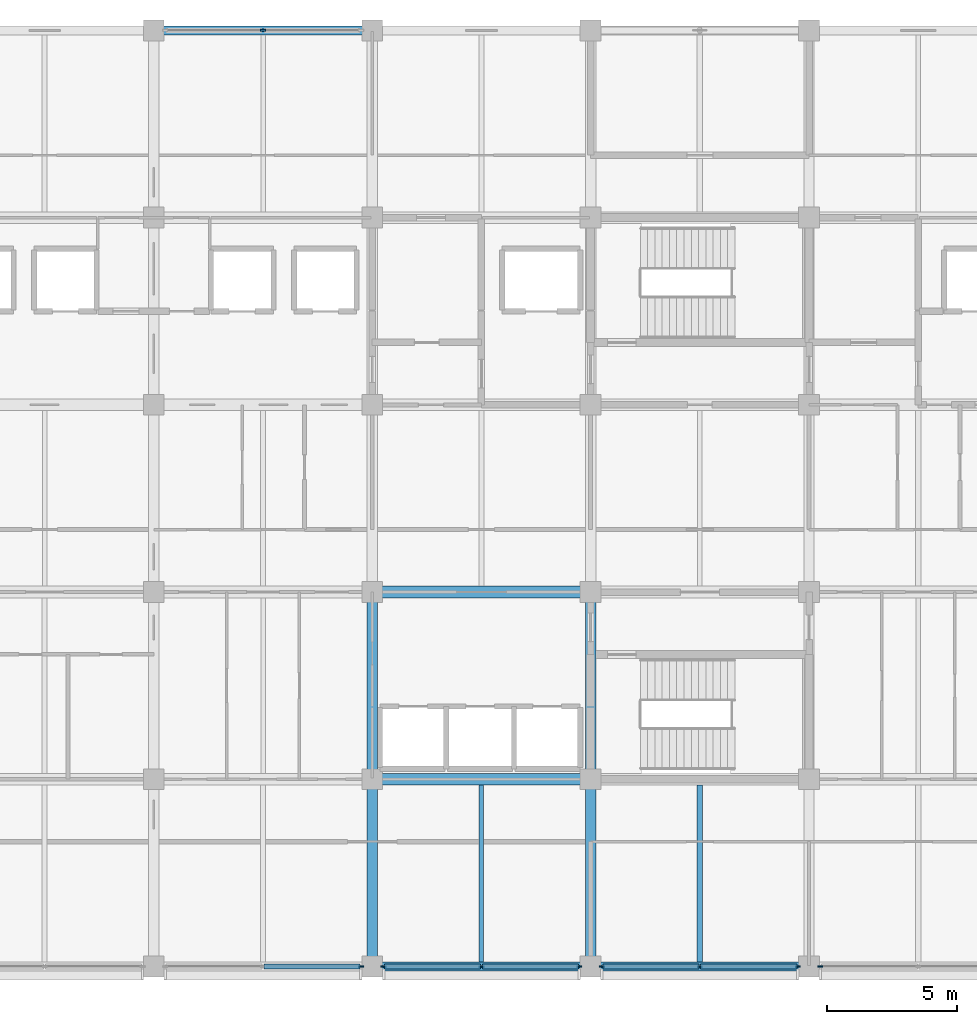
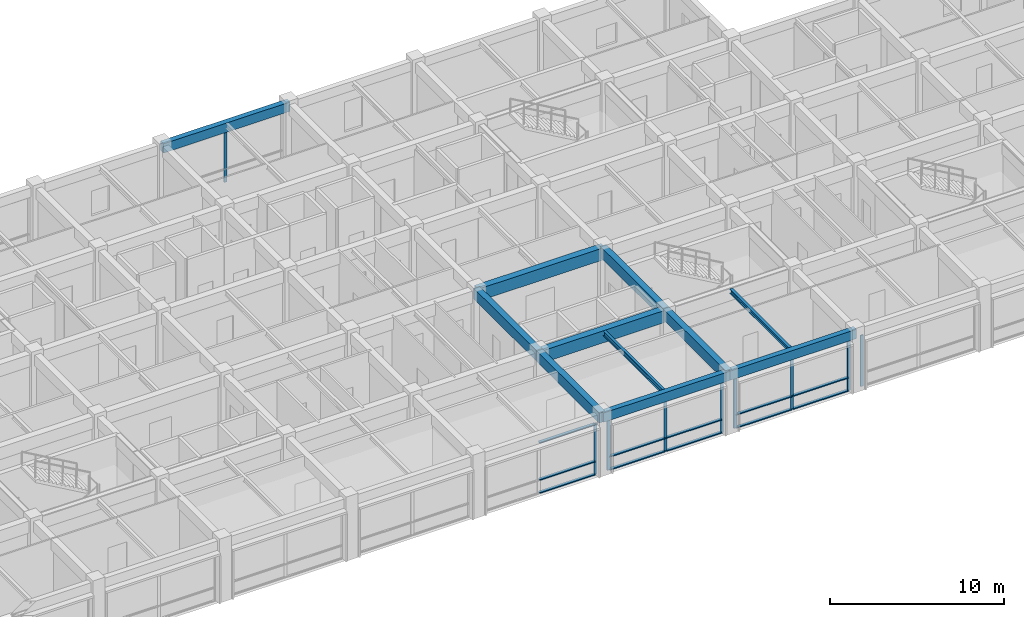
# One storey, part 8 of 30: 24 members, 11 beams, 5 elements without a shape of their own.
"""IFC4 building model written with IfcOpenShell, lengths in metres."""

from ifc_helpers import new_model, si_unit, direction, frame, origin, origin_2d, place, context, subcontext, project, spatial, rectangle, i_section, extrude, material, layer, layer_set, material_profile, profile_set, type_object, element, aggregate, save


model = new_model("IFC4")

# Units and contexts
model_context = context("Model", 3, precision=1e-05, world=origin(), true_north=direction((0.0, 1.0)))
body_context = subcontext(model_context, "Body", "Model", "MODEL_VIEW")
ifc_project = project(units=[si_unit("LENGTHUNIT", "METRE"), si_unit("AREAUNIT", "SQUARE_METRE"), si_unit("VOLUMEUNIT", "CUBIC_METRE"), si_unit("PLANEANGLEUNIT", "RADIAN"), si_unit("MASSUNIT", "GRAM", prefix="KILO")], contexts=[model_context])

# Site, building, storey
site_placement = place(None, origin())
site = spatial("IfcSite", under=ifc_project, at=site_placement, CompositionType="ELEMENT")
building_placement = place(site_placement, origin())
building = spatial("IfcBuilding", under=site, at=building_placement, Name="Chengyuan Square Courthouse", CompositionType="ELEMENT")
storey_placement = place(building_placement, frame((0.0, 0.0, 30.60009765625)))
storey = spatial("IfcBuildingStorey", under=building, at=storey_placement, Name="L07", CompositionType="ELEMENT", Elevation=30.60009765625)

# Beams
ifc_material_1 = material(Name="Concrete C40", Category="concrete")
ifc_material_profile_1 = material_profile(ifc_material_1, rectangle(XDim=0.449951171875, YDim=0.85009765625, at=origin_2d()), Name="RC-BM-450x850")
ifc_profile_set_1 = profile_set([ifc_material_profile_1], Name="Concrete C40")
beam_type_1 = type_object("IfcBeamType", Name="BM-01", PredefinedType="USERDEFINED", material=ifc_profile_set_1)
for number, where, z_axis, x_axis, name in (
    (1, (92.39990234375, 86.39990234375, 3.81494140625), (1.0, 0.0, 0.0), (0.0, 1.0, 0.0), "Girder BM-L07-3598"),
    (2, (92.39990234375, 93.60009765625, 3.81494140625), (1.0, 0.0, 0.0), (0.0, 1.0, 0.0), "Girder BM-L07-3610"),
):
    element("IfcBeam", number, at=place(storey_placement, frame(where, z_axis=z_axis, x_axis=x_axis)), inside=storey, type_object=beam_type_1, Name=name, ObjectType="GIRDER", PredefinedType="USERDEFINED", context=body_context, shape_type="SweptSolid", body=[
        extrude(rectangle(XDim=0.449951171875, YDim=0.85009765625, at=origin_2d()), origin(), (0.0, 0.0, 1.0), 8.400146484375),
    ])
ifc_material_profile_2 = material_profile(ifc_material_1, rectangle(XDim=0.39990234375, YDim=0.75, at=origin_2d()), Name="RC-BM-400x750")
ifc_profile_set_2 = profile_set([ifc_material_profile_2], Name="Concrete C40")
beam_type_2 = type_object("IfcBeamType", Name="BM-02", PredefinedType="USERDEFINED", material=ifc_profile_set_2)
beam_1_placement = place(storey_placement, frame((92.39990234375, 79.199951171875, 3.864990234375), z_axis=(0.0, 1.0, 0.0), x_axis=(-1.0, 0.0, 0.0)))
element("IfcBeam", 3, at=beam_1_placement, inside=storey, type_object=beam_type_2, Name="Girder BM-L07-3685", ObjectType="GIRDER", PredefinedType="USERDEFINED", context=body_context, shape_type="SweptSolid", body=[
    extrude(rectangle(XDim=0.39990234375, YDim=0.75, at=origin_2d()), origin(), (0.0, 0.0, 1.0), 7.199951171875),
])
beam_2_placement = place(storey_placement, frame((92.39990234375, 86.39990234375, 3.864990234375), z_axis=(0.0, 1.0, 0.0), x_axis=(-1.0, 0.0, 0.0)))
element("IfcBeam", 4, at=beam_2_placement, inside=storey, type_object=beam_type_2, Name="Girder BM-L07-3686", ObjectType="GIRDER", PredefinedType="USERDEFINED", context=body_context, shape_type="SweptSolid", body=[
    extrude(rectangle(XDim=0.39990234375, YDim=0.75, at=origin_2d()), origin(), (0.0, 0.0, 1.0), 7.2001953125),
])
beam_3_placement = place(storey_placement, frame((100.800048828125, 79.199951171875, 3.864990234375), z_axis=(0.0, 1.0, 0.0), x_axis=(-1.0, 0.0, 0.0)))
element("IfcBeam", 5, at=beam_3_placement, inside=storey, type_object=beam_type_2, Name="Girder BM-L07-3690", ObjectType="GIRDER", PredefinedType="USERDEFINED", context=body_context, shape_type="SweptSolid", body=[
    extrude(rectangle(XDim=0.39990234375, YDim=0.75, at=origin_2d()), origin(), (0.0, 0.0, 1.0), 7.199951171875),
])
beam_4_placement = place(storey_placement, frame((100.800048828125, 86.39990234375, 3.864990234375), z_axis=(0.0, 1.0, 0.0), x_axis=(-1.0, 0.0, 0.0)))
element("IfcBeam", 6, at=beam_4_placement, inside=storey, type_object=beam_type_2, Name="Girder BM-L07-3691", ObjectType="GIRDER", PredefinedType="USERDEFINED", context=body_context, shape_type="SweptSolid", body=[
    extrude(rectangle(XDim=0.39990234375, YDim=0.75, at=origin_2d()), origin(), (0.0, 0.0, 1.0), 7.2001953125),
])
ifc_material_profile_3 = material_profile(ifc_material_1, rectangle(XDim=0.35009765625, YDim=0.64990234375, at=origin_2d()), Name="RC-BM-350x650")
ifc_profile_set_3 = profile_set([ifc_material_profile_3], Name="Concrete C40")
beam_type_3 = type_object("IfcBeamType", Name="BM-03", PredefinedType="SPANDREL", material=ifc_profile_set_3)
beam_5_placement = place(storey_placement, frame((92.39990234375, 79.199951171875, 3.914794921875), z_axis=(1.0, 0.0, 0.0), x_axis=(0.0, 1.0, 0.0)))
element("IfcBeam", 7, at=beam_5_placement, inside=storey, type_object=beam_type_3, Name="Girder BM-L07-3585", PredefinedType="SPANDREL", context=body_context, shape_type="SweptSolid", body=[
    extrude(rectangle(XDim=0.35009765625, YDim=0.64990234375, at=origin_2d()), origin(), (0.0, 0.0, 1.0), 8.400146484375),
])
for number, where, z_axis, x_axis, name in (
    (8, (100.800048828125, 79.199951171875, 3.914794921875), (1.0, 0.0, 0.0), (0.0, 1.0, 0.0), "Girder BM-L07-3586"),
    (9, (84.0, 115.199951171875, 3.914794921875), (1.0, 0.0, 0.0), (0.0, 1.0, 0.0), "Girder BM-L07-3647"),
):
    element("IfcBeam", number, at=place(storey_placement, frame(where, z_axis=z_axis, x_axis=x_axis)), inside=storey, type_object=beam_type_3, Name=name, PredefinedType="SPANDREL", context=body_context, shape_type="SweptSolid", body=[
        extrude(rectangle(XDim=0.35009765625, YDim=0.64990234375, at=origin_2d()), origin(), (0.0, 0.0, 1.0), 8.39990234375),
    ])
ifc_material_2 = material(Name="Steel Q355B", Category="steel")
ifc_material_profile_4 = material_profile(ifc_material_2, i_section(OverallWidth=0.175048828125, OverallDepth=0.35009765625, WebThickness=0.007080078125, FlangeThickness=0.010986328125, at=origin_2d()), Name="HN 350x175x7x11")
ifc_profile_set_4 = profile_set([ifc_material_profile_4], Name="Steel Q355B")
beam_type_4 = type_object("IfcBeamType", Name="BM-08", PredefinedType="BEAM", material=ifc_profile_set_4)
beam_6_placement = place(storey_placement, frame((96.60009765625, 79.375, 4.06494140625), z_axis=(0.0, 1.0, 0.0), x_axis=(-1.0, 0.0, 0.0)))
element("IfcBeam", 10, at=beam_6_placement, inside=storey, type_object=beam_type_4, Name="Secondary Floor Beam SBM-L07-3745", PredefinedType="BEAM", context=body_context, shape_type="SweptSolid", body=[
    extrude(i_section(OverallWidth=0.175048828125, OverallDepth=0.35009765625, WebThickness=0.007080078125, FlangeThickness=0.010986328125, at=origin_2d()), origin(), (0.0, 0.0, 1.0), 6.800048828125),
])
ifc_material_profile_5 = material_profile(ifc_material_2, i_section(OverallWidth=0.199951171875, OverallDepth=0.300048828125, WebThickness=0.008056640625, FlangeThickness=0.011962890625, at=origin_2d()), Name="HM 300x200x8x12")
ifc_profile_set_5 = profile_set([ifc_material_profile_5], Name="Steel Q355B")
beam_type_5 = type_object("IfcBeamType", Name="BM-09", PredefinedType="BEAM", material=ifc_profile_set_5)
beam_7_placement = place(storey_placement, frame((105.0, 79.375, 4.08984375), z_axis=(0.0, 1.0, 0.0), x_axis=(-1.0, 0.0, 0.0)))
element("IfcBeam", 11, at=beam_7_placement, inside=storey, type_object=beam_type_5, Name="Secondary Floor Beam SBM-L07-3749", PredefinedType="BEAM", context=body_context, shape_type="SweptSolid", body=[
    extrude(i_section(OverallWidth=0.199951171875, OverallDepth=0.300048828125, WebThickness=0.008056640625, FlangeThickness=0.011962890625, at=origin_2d()), origin(), (0.0, 0.0, 1.0), 6.800048828125),
])

# Curtain wall, member
ifc_material_3 = material(Name="Unitised Aluminium and Triple Low-E Glass", Category="aluminium")
ifc_layer = layer(ifc_material_3, 0.199951171875)
ifc_layer_set = layer_set([ifc_layer], Name="Unitised Aluminium and Triple Low-E Glass")
curtain_wall_type = type_object("IfcCurtainWallType", Name="CW-19", PredefinedType="USERDEFINED", material=ifc_layer_set)
curtain_wall_1_placement = place(storey_placement, origin())
curtain_wall_1 = element("IfcCurtainWall", 12, at=curtain_wall_1_placement, inside=storey, type_object=curtain_wall_type, Name="Unitised Curtain Wall CW-L07-212", ObjectType="UNITISED CURTAIN WALL", PredefinedType="USERDEFINED")
ifc_material_4 = material(Name="Aluminium 6063-T6 Frame", Category="aluminium")
ifc_material_profile_6 = material_profile(ifc_material_4, rectangle(XDim=0.070068359375, YDim=0.199951171875, at=origin_2d()), Name="CW-MUL-70x200")
ifc_profile_set_6 = profile_set([ifc_material_profile_6], Name="Aluminium 6063-T6 Frame")
member_type_1 = type_object("IfcMemberType", Name="CWM-03", PredefinedType="MULLION", material=ifc_profile_set_6)
member_1_placement = place(storey_placement, frame((91.965087890625, 79.199951171875, 0.0), z_axis=(0.0, 0.0, 1.0), x_axis=(0.0, 1.0, 0.0)))
member_1 = element("IfcMember", 13, at=member_1_placement, type_object=member_type_1, Name="CW-19 mullion 3", PredefinedType="MULLION", context=body_context, shape_type="SweptSolid", body=[
    extrude(rectangle(XDim=0.070068359375, YDim=0.199951171875, at=origin_2d()), origin(), (0.0, 0.0, 1.0), 3.58984375),
])

curtain_wall_2_placement = place(storey_placement, origin())
curtain_wall_2 = element("IfcCurtainWall", 14, at=curtain_wall_2_placement, inside=storey, type_object=curtain_wall_type, Name="Unitised Curtain Wall CW-L07-213", ObjectType="UNITISED CURTAIN WALL", PredefinedType="USERDEFINED")
member_2_placement = place(storey_placement, frame((88.199951171875, 115.199951171875, 0.0), z_axis=(0.0, 0.0, 1.0), x_axis=(0.0, 1.0, 0.0)))
member_2 = element("IfcMember", 15, at=member_2_placement, type_object=member_type_1, Name="CW-19 mullion 2", PredefinedType="MULLION", context=body_context, shape_type="SweptSolid", body=[
    extrude(rectangle(XDim=0.070068359375, YDim=0.199951171875, at=origin_2d()), origin(), (0.0, 0.0, 1.0), 3.58984375),
])
aggregate(curtain_wall_2, [member_2])

# Curtain wall, members
curtain_wall_3_placement = place(storey_placement, origin())
curtain_wall_3 = element("IfcCurtainWall", 16, at=curtain_wall_3_placement, inside=storey, type_object=curtain_wall_type, Name="Unitised Curtain Wall CW-L07-214", ObjectType="UNITISED CURTAIN WALL", PredefinedType="USERDEFINED")
member_3_placement = place(storey_placement, frame((92.8349609375, 79.199951171875, 0.0), z_axis=(0.0, 0.0, 1.0), x_axis=(0.0, 1.0, 0.0)))
member_3 = element("IfcMember", 17, at=member_3_placement, type_object=member_type_1, Name="CW-19 mullion 1", PredefinedType="MULLION", context=body_context, shape_type="SweptSolid", body=[
    extrude(rectangle(XDim=0.070068359375, YDim=0.199951171875, at=origin_2d()), origin(), (0.0, 0.0, 1.0), 3.58984375),
])
member_4_placement = place(storey_placement, frame((96.60009765625, 79.199951171875, 0.0), z_axis=(0.0, 0.0, 1.0), x_axis=(0.0, 1.0, 0.0)))
member_4 = element("IfcMember", 18, at=member_4_placement, type_object=member_type_1, Name="CW-19 mullion 2", PredefinedType="MULLION", context=body_context, shape_type="SweptSolid", body=[
    extrude(rectangle(XDim=0.070068359375, YDim=0.199951171875, at=origin_2d()), origin(), (0.0, 0.0, 1.0), 3.58984375),
])
member_5_placement = place(storey_placement, frame((100.364990234375, 79.199951171875, 0.0), z_axis=(0.0, 0.0, 1.0), x_axis=(0.0, 1.0, 0.0)))
member_5 = element("IfcMember", 19, at=member_5_placement, type_object=member_type_1, Name="CW-19 mullion 3", PredefinedType="MULLION", context=body_context, shape_type="SweptSolid", body=[
    extrude(rectangle(XDim=0.070068359375, YDim=0.199951171875, at=origin_2d()), origin(), (0.0, 0.0, 1.0), 3.58984375),
])

curtain_wall_4_placement = place(storey_placement, origin())
curtain_wall_4 = element("IfcCurtainWall", 20, at=curtain_wall_4_placement, inside=storey, type_object=curtain_wall_type, Name="Unitised Curtain Wall CW-L07-215", ObjectType="UNITISED CURTAIN WALL", PredefinedType="USERDEFINED")
member_6_placement = place(storey_placement, frame((101.235107421875, 79.199951171875, 0.0), z_axis=(0.0, 0.0, 1.0), x_axis=(0.0, 1.0, 0.0)))
member_6 = element("IfcMember", 21, at=member_6_placement, type_object=member_type_1, Name="CW-19 mullion 1", PredefinedType="MULLION", context=body_context, shape_type="SweptSolid", body=[
    extrude(rectangle(XDim=0.070068359375, YDim=0.199951171875, at=origin_2d()), origin(), (0.0, 0.0, 1.0), 3.58984375),
])
member_7_placement = place(storey_placement, frame((105.0, 79.199951171875, 0.0), z_axis=(0.0, 0.0, 1.0), x_axis=(0.0, 1.0, 0.0)))
member_7 = element("IfcMember", 22, at=member_7_placement, type_object=member_type_1, Name="CW-19 mullion 2", PredefinedType="MULLION", context=body_context, shape_type="SweptSolid", body=[
    extrude(rectangle(XDim=0.070068359375, YDim=0.199951171875, at=origin_2d()), origin(), (0.0, 0.0, 1.0), 3.58984375),
])
member_8_placement = place(storey_placement, frame((108.764892578125, 79.199951171875, 0.0), z_axis=(0.0, 0.0, 1.0), x_axis=(0.0, 1.0, 0.0)))
member_8 = element("IfcMember", 23, at=member_8_placement, type_object=member_type_1, Name="CW-19 mullion 3", PredefinedType="MULLION", context=body_context, shape_type="SweptSolid", body=[
    extrude(rectangle(XDim=0.070068359375, YDim=0.199951171875, at=origin_2d()), origin(), (0.0, 0.0, 1.0), 3.58984375),
])

# Curtain wall, member
curtain_wall_5_placement = place(storey_placement, origin())
curtain_wall_5 = element("IfcCurtainWall", 24, at=curtain_wall_5_placement, inside=storey, type_object=curtain_wall_type, Name="Unitised Curtain Wall CW-L07-216", ObjectType="UNITISED CURTAIN WALL", PredefinedType="USERDEFINED")
member_9_placement = place(storey_placement, frame((109.635009765625, 79.199951171875, 0.0), z_axis=(0.0, 0.0, 1.0), x_axis=(0.0, 1.0, 0.0)))
member_9 = element("IfcMember", 25, at=member_9_placement, type_object=member_type_1, Name="CW-19 mullion 1", PredefinedType="MULLION", context=body_context, shape_type="SweptSolid", body=[
    extrude(rectangle(XDim=0.070068359375, YDim=0.199951171875, at=origin_2d()), origin(), (0.0, 0.0, 1.0), 3.58984375),
])
aggregate(curtain_wall_5, [member_9])

# Member
ifc_material_profile_7 = material_profile(ifc_material_4, rectangle(XDim=0.199951171875, YDim=0.070068359375, at=origin_2d()), Name="CW-TRN-70x160")
ifc_profile_set_7 = profile_set([ifc_material_profile_7], Name="Aluminium 6063-T6 Frame")
member_type_2 = type_object("IfcMemberType", Name="CWT-03", PredefinedType="USERDEFINED", material=ifc_profile_set_7)
member_10_placement = place(storey_placement, frame((88.235107421875, 79.199951171875, 0.034912109375), z_axis=(1.0, 0.0, 0.0), x_axis=(0.0, 1.0, 0.0)))
member_10 = element("IfcMember", 26, at=member_10_placement, type_object=member_type_2, Name="CW-19 transom 2.1", ObjectType="TRANSOM", PredefinedType="USERDEFINED", context=body_context, shape_type="SweptSolid", body=[
    extrude(rectangle(XDim=0.199951171875, YDim=0.070068359375, at=origin_2d()), origin(), (0.0, 0.0, 1.0), 3.69482421875),
])

member_11_placement = place(storey_placement, frame((88.235107421875, 79.199951171875, 0.949951171875), z_axis=(1.0, 0.0, 0.0), x_axis=(0.0, 1.0, 0.0)))
member_11 = element("IfcMember", 27, at=member_11_placement, type_object=member_type_2, Name="CW-19 transom 2.2", ObjectType="TRANSOM", PredefinedType="USERDEFINED", context=body_context, shape_type="SweptSolid", body=[
    extrude(rectangle(XDim=0.199951171875, YDim=0.070068359375, at=origin_2d()), origin(), (0.0, 0.0, 1.0), 3.69482421875),
])

member_12_placement = place(storey_placement, frame((88.235107421875, 79.199951171875, 3.554931640625), z_axis=(1.0, 0.0, 0.0), x_axis=(0.0, 1.0, 0.0)))
member_12 = element("IfcMember", 28, at=member_12_placement, type_object=member_type_2, Name="CW-19 transom 2.3", ObjectType="TRANSOM", PredefinedType="USERDEFINED", context=body_context, shape_type="SweptSolid", body=[
    extrude(rectangle(XDim=0.199951171875, YDim=0.070068359375, at=origin_2d()), origin(), (0.0, 0.0, 1.0), 3.69482421875),
])

aggregate(curtain_wall_1, [member_1, member_10, member_11, member_12])

member_13_placement = place(storey_placement, frame((92.8701171875, 79.199951171875, 0.034912109375), z_axis=(1.0, 0.0, 0.0), x_axis=(0.0, 1.0, 0.0)))
member_13 = element("IfcMember", 29, at=member_13_placement, type_object=member_type_2, Name="CW-19 transom 1.1", ObjectType="TRANSOM", PredefinedType="USERDEFINED", context=body_context, shape_type="SweptSolid", body=[
    extrude(rectangle(XDim=0.199951171875, YDim=0.070068359375, at=origin_2d()), origin(), (0.0, 0.0, 1.0), 3.69482421875),
])

member_14_placement = place(storey_placement, frame((92.8701171875, 79.199951171875, 0.949951171875), z_axis=(1.0, 0.0, 0.0), x_axis=(0.0, 1.0, 0.0)))
member_14 = element("IfcMember", 30, at=member_14_placement, type_object=member_type_2, Name="CW-19 transom 1.2", ObjectType="TRANSOM", PredefinedType="USERDEFINED", context=body_context, shape_type="SweptSolid", body=[
    extrude(rectangle(XDim=0.199951171875, YDim=0.070068359375, at=origin_2d()), origin(), (0.0, 0.0, 1.0), 3.69482421875),
])

member_15_placement = place(storey_placement, frame((92.8701171875, 79.199951171875, 3.554931640625), z_axis=(1.0, 0.0, 0.0), x_axis=(0.0, 1.0, 0.0)))
member_15 = element("IfcMember", 31, at=member_15_placement, type_object=member_type_2, Name="CW-19 transom 1.3", ObjectType="TRANSOM", PredefinedType="USERDEFINED", context=body_context, shape_type="SweptSolid", body=[
    extrude(rectangle(XDim=0.199951171875, YDim=0.070068359375, at=origin_2d()), origin(), (0.0, 0.0, 1.0), 3.69482421875),
])

member_16_placement = place(storey_placement, frame((96.635009765625, 79.199951171875, 0.034912109375), z_axis=(1.0, 0.0, 0.0), x_axis=(0.0, 1.0, 0.0)))
member_16 = element("IfcMember", 32, at=member_16_placement, type_object=member_type_2, Name="CW-19 transom 2.1", ObjectType="TRANSOM", PredefinedType="USERDEFINED", context=body_context, shape_type="SweptSolid", body=[
    extrude(rectangle(XDim=0.199951171875, YDim=0.070068359375, at=origin_2d()), origin(), (0.0, 0.0, 1.0), 3.695068359375),
])

member_17_placement = place(storey_placement, frame((96.635009765625, 79.199951171875, 0.949951171875), z_axis=(1.0, 0.0, 0.0), x_axis=(0.0, 1.0, 0.0)))
member_17 = element("IfcMember", 33, at=member_17_placement, type_object=member_type_2, Name="CW-19 transom 2.2", ObjectType="TRANSOM", PredefinedType="USERDEFINED", context=body_context, shape_type="SweptSolid", body=[
    extrude(rectangle(XDim=0.199951171875, YDim=0.070068359375, at=origin_2d()), origin(), (0.0, 0.0, 1.0), 3.695068359375),
])

member_18_placement = place(storey_placement, frame((96.635009765625, 79.199951171875, 3.554931640625), z_axis=(1.0, 0.0, 0.0), x_axis=(0.0, 1.0, 0.0)))
member_18 = element("IfcMember", 34, at=member_18_placement, type_object=member_type_2, Name="CW-19 transom 2.3", ObjectType="TRANSOM", PredefinedType="USERDEFINED", context=body_context, shape_type="SweptSolid", body=[
    extrude(rectangle(XDim=0.199951171875, YDim=0.070068359375, at=origin_2d()), origin(), (0.0, 0.0, 1.0), 3.695068359375),
])

aggregate(curtain_wall_3, [member_3, member_4, member_5, member_13, member_14, member_15, member_16, member_17, member_18])

member_19_placement = place(storey_placement, frame((101.27001953125, 79.199951171875, 0.034912109375), z_axis=(1.0, 0.0, 0.0), x_axis=(0.0, 1.0, 0.0)))
member_19 = element("IfcMember", 35, at=member_19_placement, type_object=member_type_2, Name="CW-19 transom 1.1", ObjectType="TRANSOM", PredefinedType="USERDEFINED", context=body_context, shape_type="SweptSolid", body=[
    extrude(rectangle(XDim=0.199951171875, YDim=0.070068359375, at=origin_2d()), origin(), (0.0, 0.0, 1.0), 3.695068359375),
])

member_20_placement = place(storey_placement, frame((101.27001953125, 79.199951171875, 0.949951171875), z_axis=(1.0, 0.0, 0.0), x_axis=(0.0, 1.0, 0.0)))
member_20 = element("IfcMember", 36, at=member_20_placement, type_object=member_type_2, Name="CW-19 transom 1.2", ObjectType="TRANSOM", PredefinedType="USERDEFINED", context=body_context, shape_type="SweptSolid", body=[
    extrude(rectangle(XDim=0.199951171875, YDim=0.070068359375, at=origin_2d()), origin(), (0.0, 0.0, 1.0), 3.695068359375),
])

member_21_placement = place(storey_placement, frame((101.27001953125, 79.199951171875, 3.554931640625), z_axis=(1.0, 0.0, 0.0), x_axis=(0.0, 1.0, 0.0)))
member_21 = element("IfcMember", 37, at=member_21_placement, type_object=member_type_2, Name="CW-19 transom 1.3", ObjectType="TRANSOM", PredefinedType="USERDEFINED", context=body_context, shape_type="SweptSolid", body=[
    extrude(rectangle(XDim=0.199951171875, YDim=0.070068359375, at=origin_2d()), origin(), (0.0, 0.0, 1.0), 3.695068359375),
])

member_22_placement = place(storey_placement, frame((105.034912109375, 79.199951171875, 0.034912109375), z_axis=(1.0, 0.0, 0.0), x_axis=(0.0, 1.0, 0.0)))
member_22 = element("IfcMember", 38, at=member_22_placement, type_object=member_type_2, Name="CW-19 transom 2.1", ObjectType="TRANSOM", PredefinedType="USERDEFINED", context=body_context, shape_type="SweptSolid", body=[
    extrude(rectangle(XDim=0.199951171875, YDim=0.070068359375, at=origin_2d()), origin(), (0.0, 0.0, 1.0), 3.695068359375),
])

member_23_placement = place(storey_placement, frame((105.034912109375, 79.199951171875, 0.949951171875), z_axis=(1.0, 0.0, 0.0), x_axis=(0.0, 1.0, 0.0)))
member_23 = element("IfcMember", 39, at=member_23_placement, type_object=member_type_2, Name="CW-19 transom 2.2", ObjectType="TRANSOM", PredefinedType="USERDEFINED", context=body_context, shape_type="SweptSolid", body=[
    extrude(rectangle(XDim=0.199951171875, YDim=0.070068359375, at=origin_2d()), origin(), (0.0, 0.0, 1.0), 3.695068359375),
])

member_24_placement = place(storey_placement, frame((105.034912109375, 79.199951171875, 3.554931640625), z_axis=(1.0, 0.0, 0.0), x_axis=(0.0, 1.0, 0.0)))
member_24 = element("IfcMember", 40, at=member_24_placement, type_object=member_type_2, Name="CW-19 transom 2.3", ObjectType="TRANSOM", PredefinedType="USERDEFINED", context=body_context, shape_type="SweptSolid", body=[
    extrude(rectangle(XDim=0.199951171875, YDim=0.070068359375, at=origin_2d()), origin(), (0.0, 0.0, 1.0), 3.695068359375),
])

aggregate(curtain_wall_4, [member_6, member_7, member_8, member_19, member_20, member_21, member_22, member_23, member_24])

save(model, "model.ifc")
